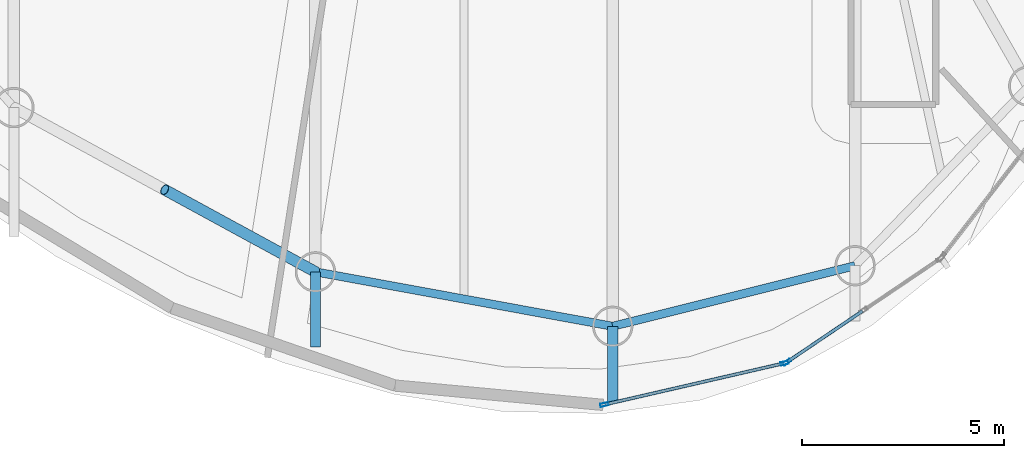
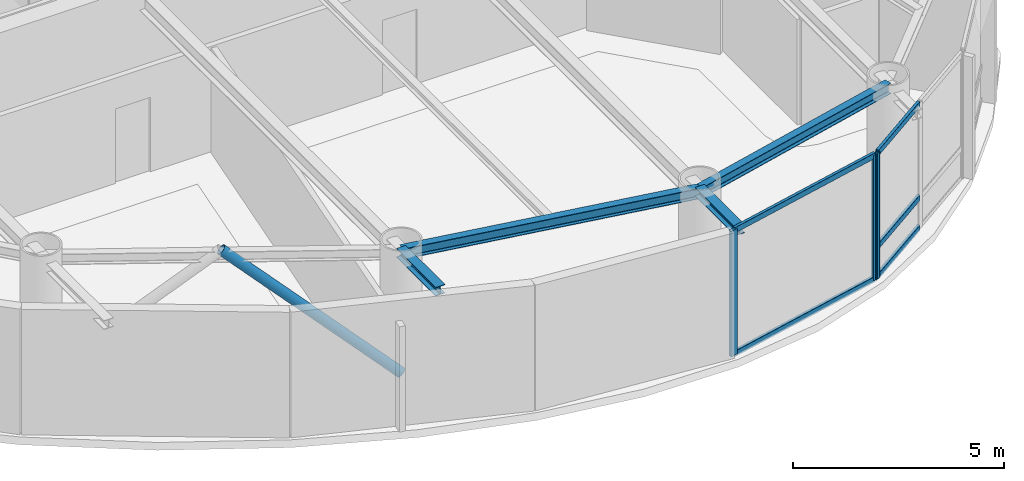
# One storey, part 3 of 19: 9 members, 4 beams, 2 elements without a shape of their own.
"""IFC4 building model written with IfcOpenShell, lengths in metres."""

from ifc_helpers import new_model, si_unit, direction, frame, origin, origin_2d, place, context, subcontext, project, spatial, hollow_rectangle, hollow_circle, i_section, extrude, material, layer, layer_set, material_profile, profile_set, type_object, element, aggregate, save


model = new_model("IFC4")

# Units and contexts
model_context = context("Model", 3, precision=1e-05, world=origin(), true_north=direction((0.0, 1.0)))
body_context = subcontext(model_context, "Body", "Model", "MODEL_VIEW")
ifc_project = project(units=[si_unit("LENGTHUNIT", "METRE"), si_unit("AREAUNIT", "SQUARE_METRE"), si_unit("VOLUMEUNIT", "CUBIC_METRE"), si_unit("PLANEANGLEUNIT", "RADIAN"), si_unit("MASSUNIT", "GRAM", prefix="KILO")], contexts=[model_context])

# Site, building, storey
site_placement = place(None, origin())
site = spatial("IfcSite", under=ifc_project, at=site_placement, CompositionType="ELEMENT")
building_placement = place(site_placement, origin())
building = spatial("IfcBuilding", under=site, at=building_placement, Name="Bramvorn Convention Spire", CompositionType="ELEMENT")
storey_placement = place(building_placement, frame((0.0, 0.0, 299.800048828125)))
storey = spatial("IfcBuildingStorey", under=building, at=storey_placement, Name="L76", CompositionType="ELEMENT", Elevation=299.800048828125)

# Beams
ifc_material_1 = material(Name="Steel CSA G40.21 Grade 350 (350W)", Category="steel")
ifc_material_profile_1 = material_profile(ifc_material_1, i_section(OverallWidth=0.25390625, OverallDepth=0.2529296875, WebThickness=0.008544921875, FlangeThickness=0.01416015625, FilletRadius=0.011962890625, at=origin_2d()))
ifc_profile_set_1 = profile_set([ifc_material_profile_1], Name="Steel CSA G40.21 Grade 350 (350W) - W250X73")
beam_type_1 = type_object("IfcBeamType", Name="BM-W250X73", PredefinedType="BEAM", material=ifc_profile_set_1)
beam_1_placement = place(storey_placement, frame((35.8154296875, 6.44921875, 3.49853515625), z_axis=(0.0, -1.0, 0.0), x_axis=(1.0, 0.0, 0.0)))
element("IfcBeam", 1, at=beam_1_placement, inside=storey, type_object=beam_type_1, Name="L76 slab-edge cantilever tip beam MC15", PredefinedType="BEAM", context=body_context, shape_type="SweptSolid", body=[
    extrude(i_section(OverallWidth=0.25390625, OverallDepth=0.2529296875, WebThickness=0.008544921875, FlangeThickness=0.01416015625, FilletRadius=0.011962890625, at=origin_2d()), origin(), (0.0, 0.0, 1.0), 1.85791015625),
])
beam_2_placement = place(storey_placement, frame((43.1884765625, 5.09912109375, 3.49853515625), z_axis=(0.0, -1.0, 0.0), x_axis=(1.0, 0.0, 0.0)))
element("IfcBeam", 2, at=beam_2_placement, inside=storey, type_object=beam_type_1, Name="L76 slab-edge cantilever tip beam MC16", PredefinedType="BEAM", context=body_context, shape_type="SweptSolid", body=[
    extrude(i_section(OverallWidth=0.25390625, OverallDepth=0.2529296875, WebThickness=0.008544921875, FlangeThickness=0.01416015625, FilletRadius=0.011962890625, at=origin_2d()), origin(), (0.0, 0.0, 1.0), 1.900390625),
])
ifc_material_profile_2 = material_profile(ifc_material_1, i_section(OverallWidth=0.202880859375, OverallDepth=0.302978515625, WebThickness=0.007568359375, FlangeThickness=0.01318359375, FilletRadius=0.013916015625, at=origin_2d()))
ifc_profile_set_2 = profile_set([ifc_material_profile_2], Name="Steel CSA G40.21 Grade 350 (350W) - W310X60")
beam_type_2 = type_object("IfcBeamType", Name="BM-W310X60", PredefinedType="JOIST", material=ifc_profile_set_2)
beam_3_placement = place(storey_placement, frame((35.8154296875, 6.44921875, 3.473388671875), z_axis=(0.983645049461, -0.180117785547, 0.0), x_axis=(0.180117785547, 0.983645049461, 0.0)))
element("IfcBeam", 3, at=beam_3_placement, inside=storey, type_object=beam_type_2, Name="L76 mega-column ring beam 15", PredefinedType="JOIST", context=body_context, shape_type="SweptSolid", body=[
    extrude(i_section(OverallWidth=0.202880859375, OverallDepth=0.302978515625, WebThickness=0.007568359375, FlangeThickness=0.01318359375, FilletRadius=0.013916015625, at=origin_2d()), origin(), (0.0, 0.0, 1.0), 7.49560546875),
])
beam_4_placement = place(storey_placement, frame((43.1884765625, 5.09912109375, 3.473388671875), z_axis=(0.970177255997, 0.24239655927, 0.0), x_axis=(-0.24239655927, 0.970177255997, 0.0)))
element("IfcBeam", 4, at=beam_4_placement, inside=storey, type_object=beam_type_2, Name="L76 mega-column ring beam 16", PredefinedType="JOIST", context=body_context, shape_type="SweptSolid", body=[
    extrude(i_section(OverallWidth=0.202880859375, OverallDepth=0.302978515625, WebThickness=0.007568359375, FlangeThickness=0.01318359375, FilletRadius=0.013916015625, at=origin_2d()), origin(), (0.0, 0.0, 1.0), 6.1962890625),
])

# Curtain wall, member
ifc_material_2 = material(Name="Anodised Bronze Unitised Curtain Wall", Category="aluminium")
ifc_layer = layer(ifc_material_2, 0.179931640625)
ifc_layer_set = layer_set([ifc_layer], Name="Anodised Bronze Unitised Curtain Wall - CW-OFF-FRIT")
curtain_wall_type = type_object("IfcCurtainWallType", Name="CW-OFF-FRIT", PredefinedType="USERDEFINED", material=ifc_layer_set)
curtain_wall_1_placement = place(storey_placement, origin())
curtain_wall_1 = element("IfcCurtainWall", 5, at=curtain_wall_1_placement, inside=storey, type_object=curtain_wall_type, Name="L76 fritted glass curtain wall 01", ObjectType="UNITISED CURTAIN WALL", PredefinedType="USERDEFINED")
ifc_material_3 = material(Name="Anodised Bronze Aluminium 6063-T6", Category="aluminium")
ifc_material_profile_3 = material_profile(ifc_material_3, hollow_rectangle(XDim=0.080078125, YDim=0.199951171875, WallThickness=0.00390625, InnerFilletRadius=0.0009765625, OuterFilletRadius=0.00390625, at=origin_2d()))
ifc_profile_set_3 = profile_set([ifc_material_profile_3], Name="Anodised Bronze Aluminium 6063-T6 - CWM80X200")
member_type_1 = type_object("IfcMemberType", Name="CW-MUL-180", PredefinedType="MULLION", material=ifc_profile_set_3)
member_1_placement = place(storey_placement, frame((47.507080078125, 4.208984375, 0.0), z_axis=(0.0, 0.0, 1.0), x_axis=(0.559864992179, -0.828583846411, 0.0)))
member_1 = element("IfcMember", 6, at=member_1_placement, type_object=member_type_1, Name="CW3 mullion 3", PredefinedType="MULLION", context=body_context, shape_type="SweptSolid", body=[
    extrude(hollow_rectangle(XDim=0.080078125, YDim=0.199951171875, WallThickness=0.00390625, InnerFilletRadius=0.0009765625, OuterFilletRadius=0.00390625, at=origin_2d()), origin(), (0.0, 0.0, 1.0), 3.625),
])

# Curtain wall, members
curtain_wall_2_placement = place(storey_placement, origin())
curtain_wall_2 = element("IfcCurtainWall", 7, at=curtain_wall_2_placement, inside=storey, type_object=curtain_wall_type, Name="L76 fritted glass curtain wall 24", ObjectType="UNITISED CURTAIN WALL", PredefinedType="USERDEFINED")
member_2_placement = place(storey_placement, frame((47.453125, 4.185546875, 0.0), z_axis=(0.0, 0.0, 1.0), x_axis=(0.22416219255, -0.974551851587, 0.0)))
member_2 = element("IfcMember", 8, at=member_2_placement, type_object=member_type_1, Name="CW3 mullion 1", PredefinedType="MULLION", context=body_context, shape_type="SweptSolid", body=[
    extrude(hollow_rectangle(XDim=0.080078125, YDim=0.199951171875, WallThickness=0.00390625, InnerFilletRadius=0.0009765625, OuterFilletRadius=0.00390625, at=origin_2d()), origin(), (0.0, 0.0, 1.0), 3.625),
])
member_3_placement = place(storey_placement, frame((42.979248046875, 3.156494140625, 0.0), z_axis=(0.0, 0.0, 1.0), x_axis=(0.22416219255, -0.974551851587, 0.0)))
member_3 = element("IfcMember", 9, at=member_3_placement, type_object=member_type_1, Name="CW3 mullion 2", PredefinedType="MULLION", context=body_context, shape_type="SweptSolid", body=[
    extrude(hollow_rectangle(XDim=0.080078125, YDim=0.199951171875, WallThickness=0.00390625, InnerFilletRadius=0.0009765625, OuterFilletRadius=0.00390625, at=origin_2d()), origin(), (0.0, 0.0, 1.0), 3.625),
])

# Member
ifc_material_profile_4 = material_profile(ifc_material_3, hollow_rectangle(XDim=0.080078125, YDim=0.159912109375, WallThickness=0.00390625, InnerFilletRadius=0.0009765625, OuterFilletRadius=0.00390625, at=origin_2d()))
ifc_profile_set_4 = profile_set([ifc_material_profile_4], Name="Anodised Bronze Aluminium 6063-T6 - CWT80X160")
member_type_2 = type_object("IfcMemberType", Name="CW-TRN-150", PredefinedType="USERDEFINED", material=ifc_profile_set_4)
member_4_placement = place(storey_placement, frame((49.384033203125, 5.477294921875, 0.030029296875), z_axis=(-0.82857253545, -0.559881731706, 0.0), x_axis=(0.559881731706, -0.82857253545, 0.0)))
member_4 = element("IfcMember", 10, at=member_4_placement, type_object=member_type_2, Name="CW3 transom 2.1", ObjectType="TRANSOM", PredefinedType="USERDEFINED", context=body_context, shape_type="SweptSolid", body=[
    extrude(hollow_rectangle(XDim=0.080078125, YDim=0.159912109375, WallThickness=0.00390625, InnerFilletRadius=0.0009765625, OuterFilletRadius=0.00390625, at=origin_2d()), origin(), (0.0, 0.0, 1.0), 2.2353515625),
])

member_5_placement = place(storey_placement, frame((49.384033203125, 5.477294921875, 0.89990234375), z_axis=(-0.82857253545, -0.559881731706, 0.0), x_axis=(0.559881731706, -0.82857253545, 0.0)))
member_5 = element("IfcMember", 11, at=member_5_placement, type_object=member_type_2, Name="CW3 transom 2.2", ObjectType="TRANSOM", PredefinedType="USERDEFINED", context=body_context, shape_type="SweptSolid", body=[
    extrude(hollow_rectangle(XDim=0.080078125, YDim=0.159912109375, WallThickness=0.00390625, InnerFilletRadius=0.0009765625, OuterFilletRadius=0.00390625, at=origin_2d()), origin(), (0.0, 0.0, 1.0), 2.2353515625),
])

member_6_placement = place(storey_placement, frame((49.384033203125, 5.477294921875, 3.594970703125), z_axis=(-0.82857253545, -0.559881731706, 0.0), x_axis=(0.559881731706, -0.82857253545, 0.0)))
member_6 = element("IfcMember", 12, at=member_6_placement, type_object=member_type_2, Name="CW3 transom 2.3", ObjectType="TRANSOM", PredefinedType="USERDEFINED", context=body_context, shape_type="SweptSolid", body=[
    extrude(hollow_rectangle(XDim=0.080078125, YDim=0.159912109375, WallThickness=0.00390625, InnerFilletRadius=0.0009765625, OuterFilletRadius=0.00390625, at=origin_2d()), origin(), (0.0, 0.0, 1.0), 2.2353515625),
])

aggregate(curtain_wall_1, [member_1, member_4, member_5, member_6])

member_7_placement = place(storey_placement, frame((47.423828125, 4.178955078125, 0.030029296875), z_axis=(-0.974549889235, -0.224170723761, 0.0), x_axis=(0.224170723761, -0.974549889235, 0.0)))
member_7 = element("IfcMember", 13, at=member_7_placement, type_object=member_type_2, Name="CW3 transom 1.1", ObjectType="TRANSOM", PredefinedType="USERDEFINED", context=body_context, shape_type="SweptSolid", body=[
    extrude(hollow_rectangle(XDim=0.080078125, YDim=0.159912109375, WallThickness=0.00390625, InnerFilletRadius=0.0009765625, OuterFilletRadius=0.00390625, at=origin_2d()), origin(), (0.0, 0.0, 1.0), 4.530517578125),
])

member_8_placement = place(storey_placement, frame((47.423828125, 4.178955078125, 3.594970703125), z_axis=(-0.974549889235, -0.224170723761, 0.0), x_axis=(0.224170723761, -0.974549889235, 0.0)))
member_8 = element("IfcMember", 14, at=member_8_placement, type_object=member_type_2, Name="CW3 transom 1.2", ObjectType="TRANSOM", PredefinedType="USERDEFINED", context=body_context, shape_type="SweptSolid", body=[
    extrude(hollow_rectangle(XDim=0.080078125, YDim=0.159912109375, WallThickness=0.00390625, InnerFilletRadius=0.0009765625, OuterFilletRadius=0.00390625, at=origin_2d()), origin(), (0.0, 0.0, 1.0), 4.530517578125),
])

aggregate(curtain_wall_2, [member_2, member_3, member_7, member_8])

ifc_material_profile_5 = material_profile(ifc_material_1, hollow_circle(Radius=0.136474609375, WallThickness=0.0126953125, at=origin_2d()))
ifc_profile_set_5 = profile_set([ifc_material_profile_5], Name="Steel CSA G40.21 Grade 350 (350W) - CHS273X13")
member_type_3 = type_object("IfcMemberType", Name="MBR-CHS273X13", PredefinedType="BRACE", material=ifc_profile_set_5)
member_9_placement = place(storey_placement, frame((35.8154296875, 6.44921875, 0.0), z_axis=(-0.668620574392, 0.364261554927, 0.64827466949), x_axis=(-0.478406114461, -0.878138707521, 0.0)))
element("IfcMember", 15, at=member_9_placement, inside=storey, type_object=member_type_3, Name="L76 perimeter Gothic lancet brace 14B", PredefinedType="BRACE", context=body_context, shape_type="SweptSolid", body=[
    extrude(hollow_circle(Radius=0.136474609375, WallThickness=0.0126953125, at=origin_2d()), origin(), (0.0, 0.0, 1.0), 5.591796875),
])

save(model, "model.ifc")
